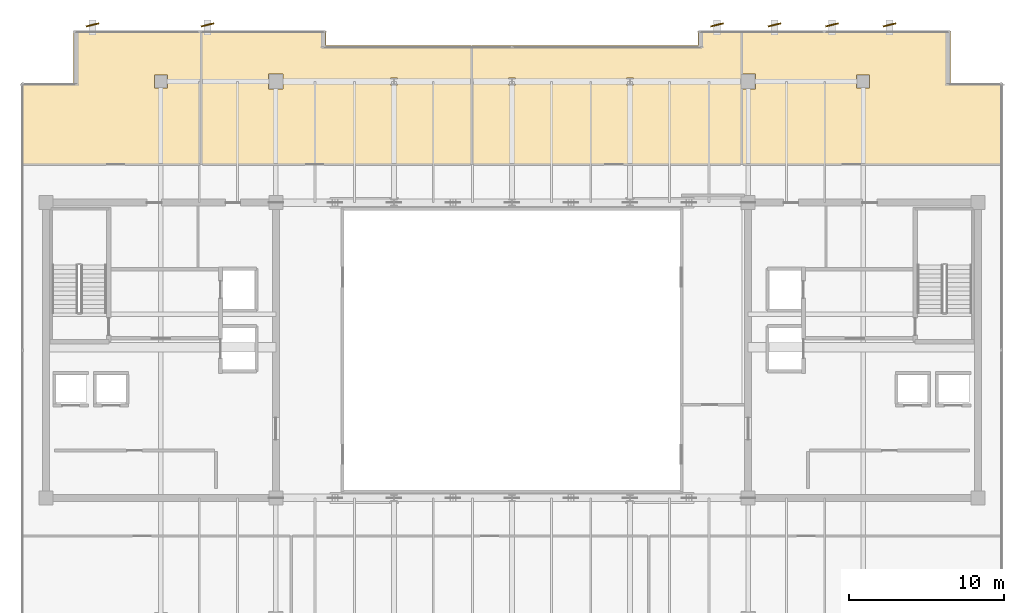
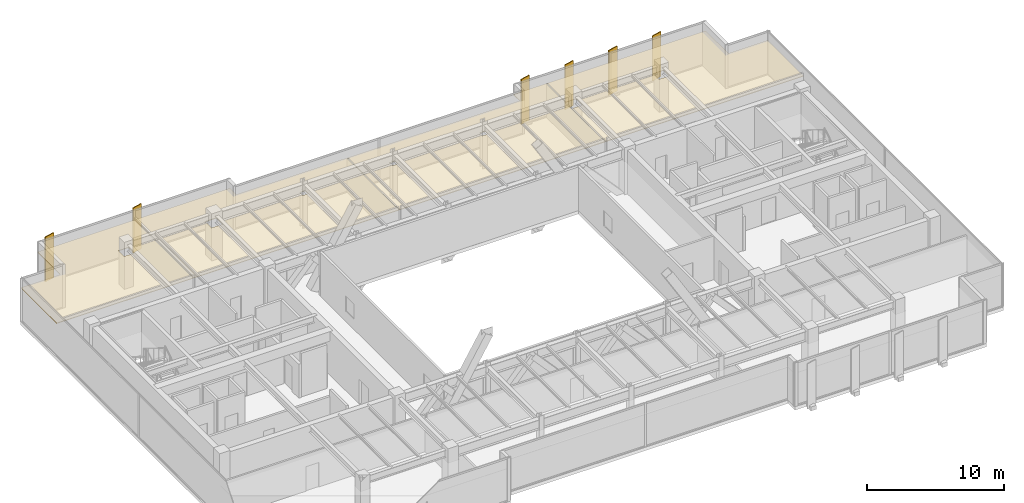
# One storey, part 32 of 32: 6 shading devices, 4 coverings.
"""IFC4 building model written with IfcOpenShell, lengths in metres."""

from ifc_helpers import new_model, si_unit, direction, frame, origin, origin_2d, place, context, subcontext, project, spatial, polyline, rectangle, outline, extrude, source, transform, mapped, material, layer, layer_set, material_profile, profile_set, type_object, type_shapes, element, save


model = new_model("IFC4")

# Units and contexts
model_context = context("Model", 3, precision=1e-05, world=origin(), true_north=direction((0.0, 1.0)))
body_context = subcontext(model_context, "Body", "Model", "MODEL_VIEW")
ifc_project = project(units=[si_unit("LENGTHUNIT", "METRE"), si_unit("AREAUNIT", "SQUARE_METRE"), si_unit("VOLUMEUNIT", "CUBIC_METRE"), si_unit("PLANEANGLEUNIT", "RADIAN"), si_unit("MASSUNIT", "GRAM", prefix="KILO")], contexts=[model_context])

# Site, building, storey
site_placement = place(None, origin())
site = spatial("IfcSite", under=ifc_project, at=site_placement, CompositionType="ELEMENT")
building_placement = place(site_placement, origin())
building = spatial("IfcBuilding", under=site, at=building_placement, Name="Haelvirn Gate Laboratories", CompositionType="ELEMENT")
storey_placement = place(building_placement, frame((0.0, 0.0, 306.0)))
storey = spatial("IfcBuildingStorey", under=building, at=storey_placement, Name="L73", CompositionType="ELEMENT", Elevation=306.0)

# Coverings
ifc_material_1 = material(Name="Washable cleanroom gasketed aluminium ceiling", Category="aluminium")
ifc_layer = layer(ifc_material_1, 0.050048828125, Name="COV-CEIL-CLN")
ifc_layer_set = layer_set([ifc_layer], Name="Washable cleanroom gasketed aluminium ceiling")
covering_type = type_object("IfcCoveringType", Name="COV-CEIL-CLN", PredefinedType="CEILING", material=ifc_layer_set)
covering_1_placement = place(storey_placement, frame((0.0, 0.0, 2.919921875)))
element("IfcCovering", 1, at=covering_1_placement, inside=storey, type_object=covering_type, Name="L73 Laboratory Acoustic Ceiling CEIL-SP-L73-N-01", PredefinedType="CEILING", context=body_context, shape_type="SweptSolid", body=[
    extrude(outline(polyline([(5.85009765625, 41.52001953125), (9.179931640625, 41.52001953125), (9.179931640625, 44.85009765625), (17.3798828125, 44.85009765625), (17.3798828125, 36.27001953125), (5.85009765625, 36.27001953125), (5.85009765625, 41.52001953125)]), holes=[polyline([(15.219970703125, 42.02001953125), (14.3798828125, 42.02001953125), (14.3798828125, 41.179931640625), (15.219970703125, 41.179931640625), (15.219970703125, 42.02001953125)])]), origin(), (0.0, 0.0, 1.0), 0.050048828125),
])
covering_2_placement = place(storey_placement, frame((0.0, 0.0, 2.919921875)))
element("IfcCovering", 2, at=covering_2_placement, inside=storey, type_object=covering_type, Name="L73 Laboratory Acoustic Ceiling CEIL-SP-L73-N-02", PredefinedType="CEILING", context=body_context, shape_type="SweptSolid", body=[
    extrude(outline(polyline([(34.780029296875, 36.27001953125), (17.419921875, 36.27001953125), (17.419921875, 44.85009765625), (25.419921875, 44.85009765625), (25.419921875, 43.919921875), (34.780029296875, 43.919921875), (34.780029296875, 36.27001953125)]), holes=[polyline([(21.72998046875, 42.070068359375), (21.72998046875, 41.1298828125), (22.669921875, 41.1298828125), (22.669921875, 42.070068359375), (21.72998046875, 42.070068359375)]), polyline([(30.02001953125, 41.820068359375), (29.580078125, 41.820068359375), (29.580078125, 41.3798828125), (30.02001953125, 41.3798828125), (30.02001953125, 41.820068359375)])]), origin(), (0.0, 0.0, 1.0), 0.050048828125),
])
covering_3_placement = place(storey_placement, frame((0.0, 0.0, 2.919921875)))
element("IfcCovering", 3, at=covering_3_placement, inside=storey, type_object=covering_type, Name="L73 Laboratory Acoustic Ceiling CEIL-SP-L73-N-03", PredefinedType="CEILING", context=body_context, shape_type="SweptSolid", body=[
    extrude(outline(polyline([(52.179931640625, 44.85009765625), (52.179931640625, 42.070068359375), (52.1298828125, 42.070068359375), (52.1298828125, 41.1298828125), (52.179931640625, 41.1298828125), (52.179931640625, 36.27001953125), (34.820068359375, 36.27001953125), (34.820068359375, 43.919921875), (49.3798828125, 43.919921875), (49.3798828125, 44.85009765625), (52.179931640625, 44.85009765625)]), holes=[polyline([(37.179931640625, 41.820068359375), (37.179931640625, 41.3798828125), (37.6201171875, 41.3798828125), (37.6201171875, 41.820068359375), (37.179931640625, 41.820068359375)]), polyline([(45.219970703125, 41.820068359375), (44.780029296875, 41.820068359375), (44.780029296875, 41.3798828125), (45.219970703125, 41.3798828125), (45.219970703125, 41.820068359375)])]), origin(), (0.0, 0.0, 1.0), 0.050048828125),
])
covering_4_placement = place(storey_placement, frame((0.0, 0.0, 2.919921875)))
element("IfcCovering", 4, at=covering_4_placement, inside=storey, type_object=covering_type, Name="L73 Laboratory Acoustic Ceiling CEIL-SP-L73-N-04", PredefinedType="CEILING", context=body_context, shape_type="SweptSolid", body=[
    extrude(outline(polyline([(65.6201171875, 44.85009765625), (65.6201171875, 41.52001953125), (68.949951171875, 41.52001953125), (68.949951171875, 36.27001953125), (52.219970703125, 36.27001953125), (52.219970703125, 41.1298828125), (53.070068359375, 41.1298828125), (53.070068359375, 42.070068359375), (52.219970703125, 42.070068359375), (52.219970703125, 44.85009765625), (65.6201171875, 44.85009765625)]), holes=[polyline([(60.419921875, 42.02001953125), (59.580078125, 42.02001953125), (59.580078125, 41.179931640625), (60.419921875, 41.179931640625), (60.419921875, 42.02001953125)])]), origin(), (0.0, 0.0, 1.0), 0.050048828125),
])

# Shading devices
ifc_material_2 = material(Name="Extruded aluminium 6063-T6 (anodised bronze)", Category="aluminium")
ifc_material_profile = material_profile(ifc_material_2, rectangle(XDim=0.074951171875, YDim=0.85009765625, at=origin_2d()), Name="FIN-850x75")
ifc_profile_set = profile_set([ifc_material_profile], Name="Extruded aluminium 6063-T6 (anodised bronze)")
shading_device_type = type_object("IfcShadingDeviceType", Name="SHD-FIN-850", PredefinedType="USERDEFINED", material=ifc_profile_set)
shared_shape = source(origin(), body_context, "Body", "SweptSolid", [
    extrude(rectangle(XDim=0.074951171875, YDim=0.85009765625, at=origin_2d()), origin(), (0.0, 0.0, 1.0), 4.02001953125),
])
type_shapes(shading_device_type, [shared_shape])
for number, where, z_axis, x_axis, name in (
    (5, (10.39990234375, 45.2451171875, -0.179931640625), (0.0, 0.0, 1.0), (-0.235142113103, 0.971961000579, 0.0), "L73 Fluted Bronze Vertical Fin N01"),
    (6, (17.800048828125, 45.2451171875, -0.179931640625), (0.0, 0.0, 1.0), (-0.235142113103, 0.971961000579, 0.0), "L73 Fluted Bronze Vertical Fin N02"),
    (7, (50.60009765625, 45.2451171875, -0.179931640625), (0.0, 0.0, 1.0), (-0.235142113103, 0.971961000579, 0.0), "L73 Fluted Bronze Vertical Fin N03"),
    (8, (54.300048828125, 45.2451171875, -0.179931640625), (0.0, 0.0, 1.0), (-0.235142113103, 0.971961000579, 0.0), "L73 Fluted Bronze Vertical Fin N04"),
    (9, (58.0, 45.2451171875, -0.179931640625), (0.0, 0.0, 1.0), (-0.235142113103, 0.971961000579, 0.0), "L73 Fluted Bronze Vertical Fin N05"),
    (10, (61.699951171875, 45.2451171875, -0.179931640625), (0.0, 0.0, 1.0), (-0.235142113103, 0.971961000579, 0.0), "L73 Fluted Bronze Vertical Fin N06"),
):
    element("IfcShadingDevice", number, at=place(storey_placement, frame(where, z_axis=z_axis, x_axis=x_axis)), inside=storey, type_object=shading_device_type, Name=name, ObjectType="FIN", PredefinedType="USERDEFINED", context=body_context, shape_type="MappedRepresentation", body=[
        mapped(shared_shape, transform((0.0, 0.0, 0.0), scale=1.0)),
    ])

save(model, "model.ifc")
